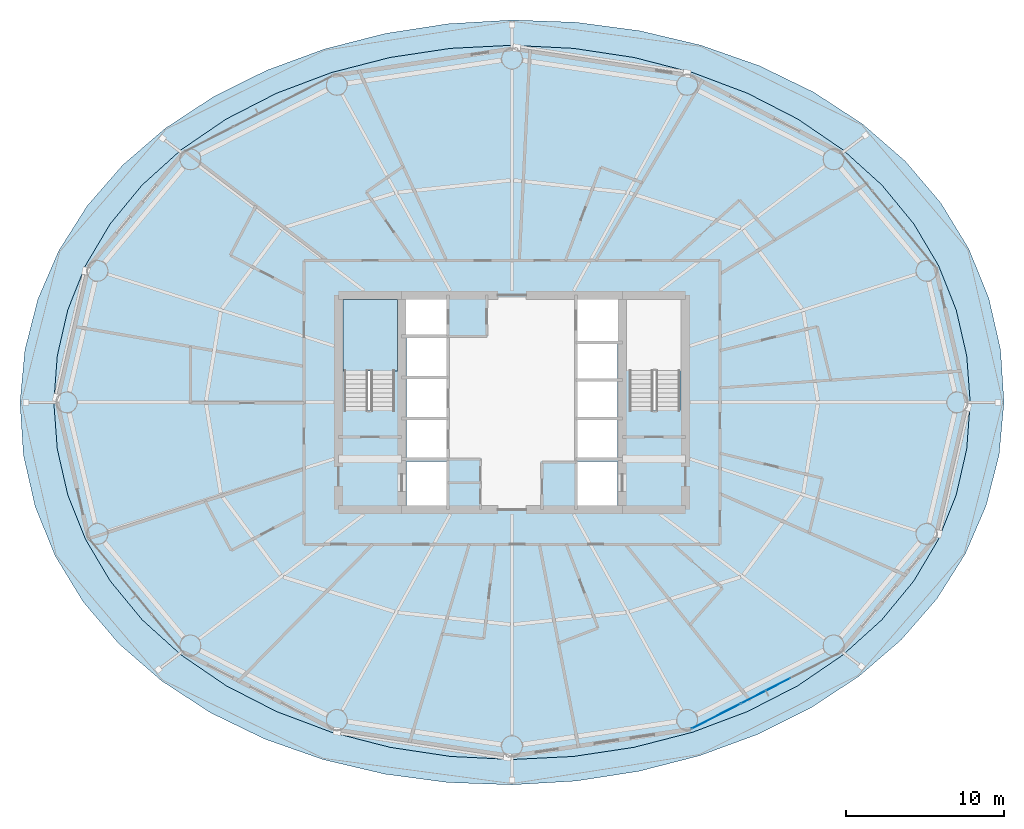
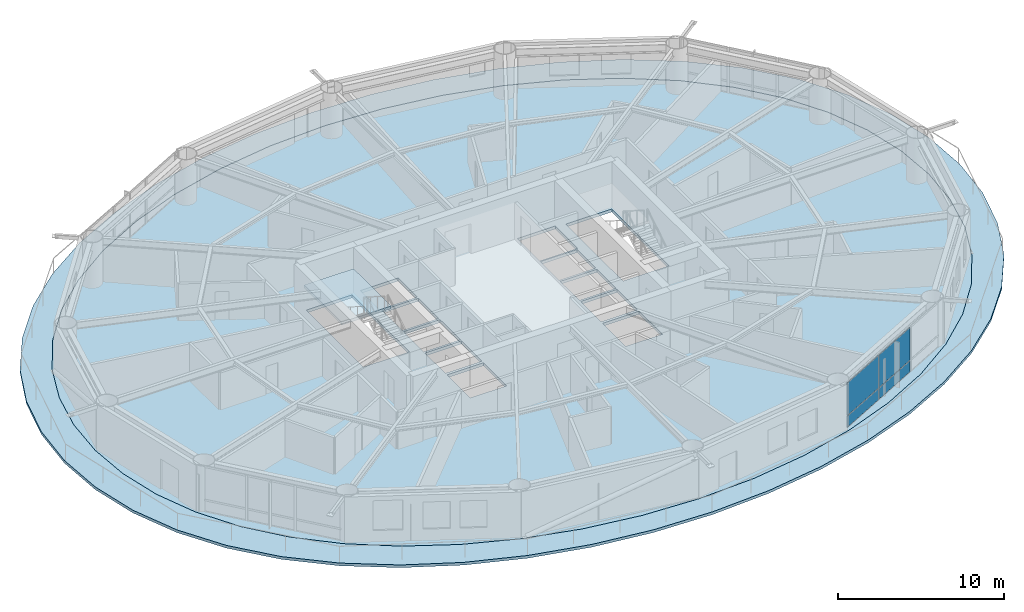
# One storey, part 15 of 24: 4 plates, 3 slabs, 2 elements without a shape of their own.
"""IFC4 building model written with IfcOpenShell, lengths in metres."""

from ifc_helpers import new_model, si_unit, direction, frame, origin, origin_2d, place, context, subcontext, project, spatial, polyline, rectangle, outline, extrude, material, layer, layer_set, type_object, element, aggregate, save


model = new_model("IFC4")

# Units and contexts
model_context = context("Model", 3, precision=1e-05, world=origin(), true_north=direction((0.0, 1.0)))
body_context = subcontext(model_context, "Body", "Model", "MODEL_VIEW")
ifc_project = project(units=[si_unit("LENGTHUNIT", "METRE"), si_unit("AREAUNIT", "SQUARE_METRE"), si_unit("VOLUMEUNIT", "CUBIC_METRE"), si_unit("PLANEANGLEUNIT", "RADIAN"), si_unit("MASSUNIT", "GRAM", prefix="KILO")], contexts=[model_context])

# Site, building, storey
site_placement = place(None, origin())
site = spatial("IfcSite", under=ifc_project, at=site_placement, CompositionType="ELEMENT")
building_placement = place(site_placement, origin())
building = spatial("IfcBuilding", under=site, at=building_placement, Name="Sarneth Arch Tower", CompositionType="ELEMENT")
storey_placement = place(building_placement, frame((0.0, 0.0, 91.199951171875)))
storey = spatial("IfcBuildingStorey", under=building, at=storey_placement, Name="L22", CompositionType="ELEMENT", Elevation=91.199951171875)

# Curtain wall, plates
ifc_material_1 = material(Name="Anodised aluminium Type AA25 and solar-control low-e laminated IGU", Category="aluminium")
ifc_layer_1 = layer(ifc_material_1, 0.159912109375)
ifc_layer_set_1 = layer_set([ifc_layer_1], Name="Anodised aluminium Type AA25 and solar-control low-e laminated IGU")
curtain_wall_type = type_object("IfcCurtainWallType", Name="CW-HOTEL-MID", PredefinedType="NOTDEFINED", material=ifc_layer_set_1)
curtain_wall_placement = place(storey_placement, origin())
curtain_wall = element("IfcCurtainWall", 1, at=curtain_wall_placement, inside=storey, type_object=curtain_wall_type, Name="L22 Unitised curtain wall facet 14", PredefinedType="NOTDEFINED")
ifc_material_2 = material(Name="Solar-control low-e laminated IGU", Category="glass")
ifc_layer_2 = layer(ifc_material_2, 0.028076171875)
ifc_layer_set_2 = layer_set([ifc_layer_2], Name="Solar-control low-e laminated IGU")
plate_type = type_object("IfcPlateType", Name="CW-PANEL", PredefinedType="CURTAIN_PANEL", material=ifc_layer_set_2)
plate_1_placement = place(storey_placement, frame((60.946044921875, 22.094482421875, 0.06005859375), z_axis=(0.0, 0.0, 1.0), x_axis=(0.889963703649, 0.456031365356, 0.0)))
plate_1 = element("IfcPlate", 2, at=plate_1_placement, type_object=plate_type, Name="Curtain wall glazed vision pane CW-L22-F14/P00-00", PredefinedType="CURTAIN_PANEL", context=body_context, shape_type="SweptSolid", body=[
    extrude(rectangle(XDim=3.464111328125, YDim=0.028076171875, at=origin_2d()), origin(), (0.0, 0.0, 1.0), 0.81005859375),
])
plate_2_placement = place(storey_placement, frame((60.946044921875, 22.094482421875, 0.93017578125), z_axis=(0.0, 0.0, 1.0), x_axis=(0.889963703649, 0.456031365356, 0.0)))
plate_2 = element("IfcPlate", 3, at=plate_2_placement, type_object=plate_type, Name="Curtain wall glazed vision pane CW-L22-F14/P00-01", PredefinedType="CURTAIN_PANEL", context=body_context, shape_type="SweptSolid", body=[
    extrude(rectangle(XDim=3.464111328125, YDim=0.028076171875, at=origin_2d()), origin(), (0.0, 0.0, 1.0), 2.389892578125),
])
plate_3_placement = place(storey_placement, frame((64.095703125, 23.70849609375, 0.06005859375), z_axis=(0.0, 0.0, 1.0), x_axis=(0.889963703649, 0.456031365356, 0.0)))
plate_3 = element("IfcPlate", 4, at=plate_3_placement, type_object=plate_type, Name="Curtain wall glazed vision pane CW-L22-F14/P01-00", PredefinedType="CURTAIN_PANEL", context=body_context, shape_type="SweptSolid", body=[
    extrude(rectangle(XDim=3.493896484375, YDim=0.028076171875, at=origin_2d()), origin(), (0.0, 0.0, 1.0), 0.81005859375),
])
plate_4_placement = place(storey_placement, frame((64.095703125, 23.70849609375, 0.93017578125), z_axis=(0.0, 0.0, 1.0), x_axis=(0.889963703649, 0.456031365356, 0.0)))
plate_4 = element("IfcPlate", 5, at=plate_4_placement, type_object=plate_type, Name="Curtain wall glazed vision pane CW-L22-F14/P01-01", PredefinedType="CURTAIN_PANEL", context=body_context, shape_type="SweptSolid", body=[
    extrude(rectangle(XDim=3.493896484375, YDim=0.028076171875, at=origin_2d()), origin(), (0.0, 0.0, 1.0), 2.389892578125),
])
aggregate(curtain_wall, [plate_1, plate_2, plate_3, plate_4])

# Slab
ifc_material_3 = material(Name="Concrete C50/60", Category="concrete")
ifc_layer_3 = layer(ifc_material_3, 0.199951171875)
ifc_layer_set_3 = layer_set([ifc_layer_3], Name="Concrete C50/60")
slab_type_1 = type_object("IfcSlabType", Name="SLAB-BALC-200", PredefinedType="FLOOR", material=ifc_layer_set_3)
slab_1_placement = place(storey_placement, frame((0.0, 0.0, -0.199951171875)))
element("IfcSlab", 6, at=slab_1_placement, inside=storey, type_object=slab_type_1, Name="L22 Helical balcony band slab", PredefinedType="FLOOR", context=body_context, shape_type="SweptSolid", body=[
    extrude(outline(polyline([(79.207275390625, 42.0), (78.990478515625, 45.340087890625), (78.24462890625, 48.61181640625), (76.976318359375, 51.737060546875), (75.19970703125, 54.65185546875), (72.939208984375, 57.3056640625), (70.23095703125, 59.65966796875), (67.12451171875, 61.68359375), (63.68310546875, 63.354736328125), (59.977783203125, 64.65576171875), (56.082275390625, 65.576171875), (52.067626953125, 66.10986328125), (48.0, 66.255615234375), (43.941650390625, 66.01611328125), (39.953857421875, 65.39794921875), (36.09912109375, 64.41064453125), (32.44287109375, 63.066162109375), (29.05126953125, 61.3798828125), (25.987548828125, 59.369140625), (23.305908203125, 57.054443359375), (21.049072265625, 54.458984375), (19.248046875, 51.61181640625), (17.926025390625, 48.5498046875), (17.10205078125, 45.32373046875), (16.792724609375, 42.0), (17.009521484375, 38.659912109375), (17.75537109375, 35.38818359375), (19.023681640625, 32.262939453125), (20.80029296875, 29.34814453125), (23.060791015625, 26.6943359375), (25.76904296875, 24.34033203125), (28.87548828125, 22.31640625), (32.31689453125, 20.645263671875), (36.022216796875, 19.34423828125), (39.917724609375, 18.423828125), (43.932373046875, 17.89013671875), (48.0, 17.744384765625), (52.058349609375, 17.98388671875), (56.046142578125, 18.60205078125), (59.90087890625, 19.58935546875), (63.55712890625, 20.933837890625), (66.94873046875, 22.6201171875), (70.012451171875, 24.630859375), (72.694091796875, 26.945556640625), (74.950927734375, 29.541015625), (76.751953125, 32.38818359375), (78.073974609375, 35.4501953125), (78.89794921875, 38.67626953125), (79.207275390625, 42.0)]), holes=[polyline([(77.062744140625, 42.0), (76.84228515625, 44.956298828125), (76.17724609375, 47.8623046875), (75.060546875, 50.667724609375), (73.486328125, 53.324951171875), (71.458251953125, 55.788330078125), (68.994384765625, 58.015869140625), (66.132080078125, 59.969482421875), (62.923828125, 61.615478515625), (59.435302734375, 62.92578125), (55.73779296875, 63.878173828125), (51.902587890625, 64.456298828125), (48.0, 64.64990234375), (44.097412109375, 64.456298828125), (40.26220703125, 63.878173828125), (36.564697265625, 62.92578125), (33.076171875, 61.615478515625), (29.867919921875, 59.969482421875), (27.005615234375, 58.015869140625), (24.541748046875, 55.788330078125), (22.513671875, 53.324951171875), (20.939453125, 50.667724609375), (19.82275390625, 47.8623046875), (19.15771484375, 44.956298828125), (18.937255859375, 42.0), (19.15771484375, 39.043701171875), (19.82275390625, 36.1376953125), (20.939453125, 33.332275390625), (22.513671875, 30.675048828125), (24.541748046875, 28.211669921875), (27.005615234375, 25.984130859375), (29.867919921875, 24.030517578125), (33.076171875, 22.384521484375), (36.564697265625, 21.07421875), (40.26220703125, 20.121826171875), (44.097412109375, 19.543701171875), (48.0, 19.35009765625), (51.902587890625, 19.543701171875), (55.73779296875, 20.121826171875), (59.435302734375, 21.07421875), (62.923828125, 22.384521484375), (66.132080078125, 24.030517578125), (68.994384765625, 25.984130859375), (71.458251953125, 28.211669921875), (73.486328125, 30.675048828125), (75.060546875, 33.332275390625), (76.17724609375, 36.1376953125), (76.84228515625, 39.043701171875), (77.062744140625, 42.0)])]), origin(), (0.0, 0.0, 1.0), 0.199951171875),
])

# Stair, slab
ifc_material_4 = material(Name="Concrete C50/60", Category="concrete")
stair_type = type_object("IfcStairType", Name="STAIR-CORE-RC", PredefinedType="HALF_TURN_STAIR", material=ifc_material_4)
stair_placement = place(storey_placement, origin())
stair = element("IfcStair", 7, at=stair_placement, inside=storey, type_object=stair_type, Name="L22 Core Exit Stair 1", PredefinedType="HALF_TURN_STAIR")
ifc_material_5 = material(Name="Concrete C50/60", Category="concrete")
ifc_layer_4 = layer(ifc_material_5, 0.199951171875)
ifc_layer_set_4 = layer_set([ifc_layer_4], Name="Concrete C50/60")
slab_type_2 = type_object("IfcSlabType", Name="SLAB-LANDING-200", PredefinedType="LANDING", material=ifc_layer_set_4)
slab_2_placement = place(storey_placement, frame((0.0, 0.0, 1.60009765625)))
slab_2 = element("IfcSlab", 8, at=slab_2_placement, type_object=slab_type_2, Name="ST-1 landing 1", PredefinedType="LANDING", context=body_context, shape_type="SweptSolid", body=[
    extrude(outline(polyline([(37.27490234375, 43.985107421875), (40.72509765625, 43.985107421875), (40.72509765625, 48.52490234375), (37.27490234375, 48.52490234375), (37.27490234375, 43.985107421875)])), origin(), (0.0, 0.0, 1.0), 0.199951171875),
])
aggregate(stair, [slab_2])

# Slab
ifc_material_6 = material(Name="Concrete C50/60", Category="concrete")
ifc_layer_5 = layer(ifc_material_6, 0.219970703125)
ifc_layer_set_5 = layer_set([ifc_layer_5], Name="Concrete C50/60")
slab_type_3 = type_object("IfcSlabType", Name="SLAB-TOWER-220", PredefinedType="FLOOR", material=ifc_layer_set_5)
slab_3_placement = place(storey_placement, frame((0.0, 0.0, -0.219970703125)))
element("IfcSlab", 9, at=slab_3_placement, inside=storey, type_object=slab_type_3, Name="L22 Elliptical floor slab", PredefinedType="FLOOR", context=body_context, shape_type="SweptSolid", body=[
    extrude(outline(polyline([(77.062744140625, 42.0), (76.84228515625, 44.956298828125), (76.17724609375, 47.8623046875), (75.060546875, 50.667724609375), (73.486328125, 53.324951171875), (71.458251953125, 55.788330078125), (68.994384765625, 58.015869140625), (66.132080078125, 59.969482421875), (62.923828125, 61.615478515625), (59.435302734375, 62.92578125), (55.73779296875, 63.878173828125), (51.902587890625, 64.456298828125), (48.0, 64.64990234375), (44.097412109375, 64.456298828125), (40.26220703125, 63.878173828125), (36.564697265625, 62.92578125), (33.076171875, 61.615478515625), (29.867919921875, 59.969482421875), (27.005615234375, 58.015869140625), (24.541748046875, 55.788330078125), (22.513671875, 53.324951171875), (20.939453125, 50.667724609375), (19.82275390625, 47.8623046875), (19.15771484375, 44.956298828125), (18.937255859375, 42.0), (19.15771484375, 39.043701171875), (19.82275390625, 36.1376953125), (20.939453125, 33.332275390625), (22.513671875, 30.675048828125), (24.541748046875, 28.211669921875), (27.005615234375, 25.984130859375), (29.867919921875, 24.030517578125), (33.076171875, 22.384521484375), (36.564697265625, 21.07421875), (40.26220703125, 20.121826171875), (44.097412109375, 19.543701171875), (48.0, 19.35009765625), (51.902587890625, 19.543701171875), (55.73779296875, 20.121826171875), (59.435302734375, 21.07421875), (62.923828125, 22.384521484375), (66.132080078125, 24.030517578125), (68.994384765625, 25.984130859375), (71.458251953125, 28.211669921875), (73.486328125, 30.675048828125), (75.060546875, 33.332275390625), (76.17724609375, 36.1376953125), (76.84228515625, 39.043701171875), (77.062744140625, 42.0)]), holes=[polyline([(37.35009765625, 41.489990234375), (40.550048828125, 41.489990234375), (40.550048828125, 48.39990234375), (37.35009765625, 48.39990234375), (37.35009765625, 41.489990234375)]), polyline([(55.449951171875, 41.489990234375), (58.64990234375, 41.489990234375), (58.64990234375, 48.39990234375), (55.449951171875, 48.39990234375), (55.449951171875, 41.489990234375)]), polyline([(41.199951171875, 46.25), (43.85009765625, 46.25), (43.85009765625, 48.550048828125), (41.199951171875, 48.550048828125), (41.199951171875, 46.25)]), polyline([(41.300048828125, 35.449951171875), (43.85009765625, 35.449951171875), (43.85009765625, 38.25), (41.300048828125, 38.25), (41.300048828125, 35.449951171875)]), polyline([(52.14990234375, 35.449951171875), (54.699951171875, 35.449951171875), (54.699951171875, 38.25), (52.14990234375, 38.25), (52.14990234375, 35.449951171875)]), polyline([(52.14990234375, 45.85009765625), (54.800048828125, 45.85009765625), (54.800048828125, 48.550048828125), (52.14990234375, 48.550048828125), (52.14990234375, 45.85009765625)]), polyline([(41.300048828125, 38.449951171875), (43.85009765625, 38.449951171875), (43.85009765625, 40.89990234375), (41.300048828125, 40.89990234375), (41.300048828125, 38.449951171875)]), polyline([(41.300048828125, 41.050048828125), (43.85009765625, 41.050048828125), (43.85009765625, 43.5), (41.300048828125, 43.5), (41.300048828125, 41.050048828125)]), polyline([(41.300048828125, 43.64990234375), (43.85009765625, 43.64990234375), (43.85009765625, 46.10009765625), (41.300048828125, 46.10009765625), (41.300048828125, 43.64990234375)]), polyline([(52.14990234375, 38.449951171875), (54.699951171875, 38.449951171875), (54.699951171875, 40.89990234375), (52.14990234375, 40.89990234375), (52.14990234375, 38.449951171875)]), polyline([(52.14990234375, 41.050048828125), (54.699951171875, 41.050048828125), (54.699951171875, 43.35009765625), (52.14990234375, 43.35009765625), (52.14990234375, 41.050048828125)]), polyline([(52.14990234375, 43.5), (54.699951171875, 43.5), (54.699951171875, 45.75), (52.14990234375, 45.75), (52.14990234375, 43.5)])]), origin(), (0.0, 0.0, 1.0), 0.219970703125),
])

save(model, "model.ifc")
